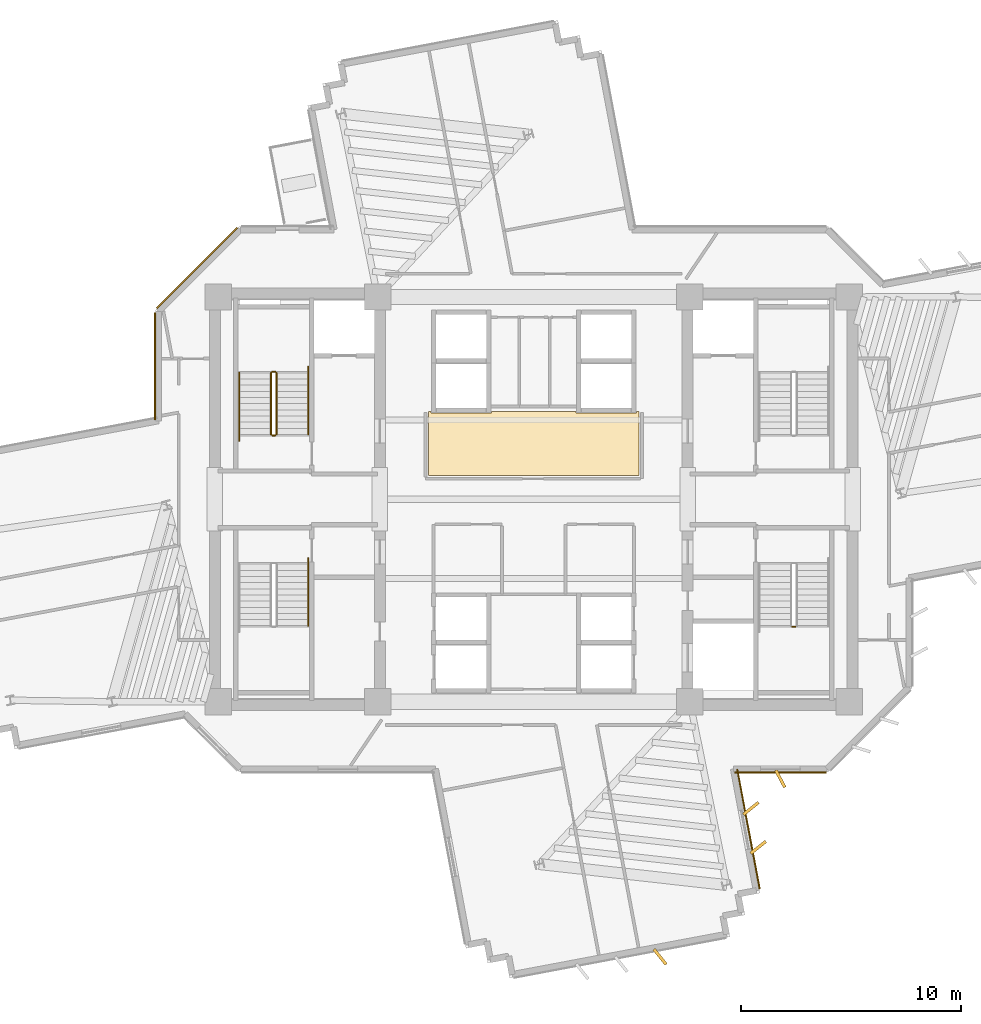
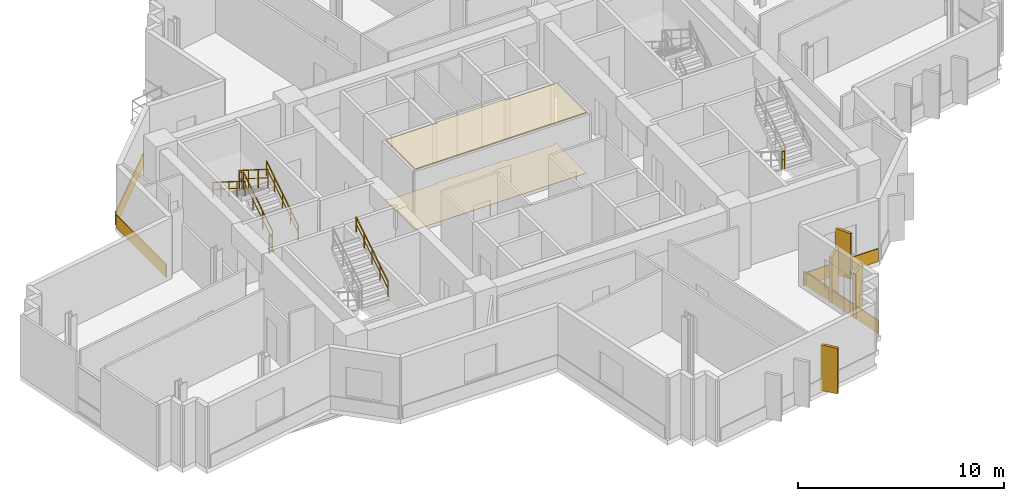
# One storey, part 14 of 16: 10 coverings, 8 railings.
"""IFC4 building model written with IfcOpenShell, lengths in metres."""

from ifc_helpers import new_model, si_unit, direction, frame, origin, origin_2d, place, context, subcontext, project, spatial, polyline, rectangle, outline, extrude, source, transform, mapped, material, layer, layer_set, type_object, element, save


model = new_model("IFC4")

# Units and contexts
model_context = context("Model", 3, precision=1e-05, world=origin(), true_north=direction((0.0, 1.0)))
body_context = subcontext(model_context, "Body", "Model", "MODEL_VIEW")
ifc_project = project(units=[si_unit("LENGTHUNIT", "METRE"), si_unit("AREAUNIT", "SQUARE_METRE"), si_unit("VOLUMEUNIT", "CUBIC_METRE"), si_unit("PLANEANGLEUNIT", "RADIAN"), si_unit("MASSUNIT", "GRAM", prefix="KILO")], contexts=[model_context])

# Site, building, storey
site_placement = place(None, origin())
site = spatial("IfcSite", under=ifc_project, at=site_placement, CompositionType="ELEMENT")
building_placement = place(site_placement, origin())
building = spatial("IfcBuilding", under=site, at=building_placement, Name="Zahravan Cultural Tower", CompositionType="ELEMENT")
storey_placement = place(building_placement, frame((0.0, 0.0, 155.10009765625)))
storey = spatial("IfcBuildingStorey", under=building, at=storey_placement, Name="L35", CompositionType="ELEMENT", Elevation=155.10009765625)

# Coverings
ifc_material_1 = material(Name="Acoustic mineral fibreboard")
ifc_layer_1 = layer(ifc_material_1, 0.0400390625)
ifc_layer_set_1 = layer_set([ifc_layer_1], Name="Acoustic mineral fibreboard")
covering_type_1 = type_object("IfcCoveringType", Name="COV-CEIL-AC20", PredefinedType="CEILING", material=ifc_layer_set_1)
covering_1_placement = place(storey_placement, frame((0.0, 0.0, 3.579833984375)))
element("IfcCovering", 1, at=covering_1_placement, inside=storey, type_object=covering_type_1, Name="L35 Acoustic Suspended Ceiling", PredefinedType="CEILING", context=body_context, shape_type="SweptSolid", body=[
    extrude(outline(polyline([(31.219970703125, 31.0), (31.219970703125, 28.080078125), (40.780029296875, 28.080078125), (40.780029296875, 31.0), (40.669921875, 31.0), (40.669921875, 30.929931640625), (37.929931640625, 30.929931640625), (37.929931640625, 31.0), (34.070068359375, 31.0), (34.070068359375, 30.929931640625), (31.330078125, 30.929931640625), (31.330078125, 31.0), (31.219970703125, 31.0)])), origin(), (0.0, 0.0, 1.0), 0.0400390625),
])
ifc_material_2 = material(Name="Terrazzo flooring")
ifc_layer_2 = layer(ifc_material_2, 0.02490234375)
ifc_layer_set_2 = layer_set([ifc_layer_2], Name="Terrazzo flooring")
covering_type_2 = type_object("IfcCoveringType", Name="COV-FLR-TZ25", PredefinedType="FLOORING", material=ifc_layer_set_2)
covering_2_placement = place(storey_placement, origin())
element("IfcCovering", 2, at=covering_2_placement, inside=storey, type_object=covering_type_2, Name="L35 Polished Terrazzo Flooring", PredefinedType="FLOORING", context=body_context, shape_type="SweptSolid", body=[
    extrude(outline(polyline([(31.219970703125, 31.0), (31.219970703125, 28.080078125), (40.780029296875, 28.080078125), (40.780029296875, 31.0), (40.669921875, 31.0), (40.669921875, 30.929931640625), (37.929931640625, 30.929931640625), (37.929931640625, 31.0), (34.070068359375, 31.0), (34.070068359375, 30.929931640625), (31.330078125, 30.929931640625), (31.330078125, 31.0), (31.219970703125, 31.0)])), origin(), (0.0, 0.0, 1.0), 0.02490234375),
])

# Railings
ifc_material_3 = material(Name="Steel ASTM A572 Grade 50", Category="steel")
railing_type_1 = type_object("IfcRailingType", Name="RL-STAIR-GRD1150", PredefinedType="BALUSTRADE", material=ifc_material_3)
railing_1_placement = place(storey_placement, frame((24.300048828125, 29.949951171875, 0.17724609375)))
element("IfcRailing", 3, at=railing_1_placement, inside=storey, type_object=railing_type_1, Name="L35 ST-W1 stair guard 1", PredefinedType="BALUSTRADE", context=body_context, shape_type="SweptSolid", body=[
    extrude(rectangle(XDim=0.05, YDim=0.05, at=origin_2d()), frame((0.0, 0.0, 1.0751953125), z_axis=(0.0, 0.844908973607, 0.534910110503), x_axis=(-1.0, 0.0, 0.0)), (0.0, 0.0, 1.0), 3.31396484375),
    extrude(rectangle(XDim=0.032, YDim=0.032, at=origin_2d()), frame((0.0, 0.0, 0.572021484375), z_axis=(0.0, 0.844908973607, 0.534910110503), x_axis=(-1.0, 0.0, 0.0)), (0.0, 0.0, 1.0), 3.31396484375),
    extrude(rectangle(XDim=0.04, YDim=0.04, at=origin_2d()), origin(), (0.0, 0.0, 1.0), 1.10009765625),
    extrude(rectangle(XDim=0.04, YDim=0.04, at=origin_2d()), frame((0.0, 0.933349609375, 0.5908203125)), (0.0, 0.0, 1.0), 1.10009765625),
    extrude(rectangle(XDim=0.04, YDim=0.04, at=origin_2d()), frame((0.0, 1.86669921875, 1.181884765625)), (0.0, 0.0, 1.0), 1.10009765625),
    extrude(rectangle(XDim=0.04, YDim=0.04, at=origin_2d()), frame((0.0, 2.800048828125, 1.772705078125)), (0.0, 0.0, 1.0), 1.10009765625),
])
railing_2_placement = place(storey_placement, frame((24.25, 32.800048828125, 1.949951171875)))
element("IfcRailing", 4, at=railing_2_placement, inside=storey, type_object=railing_type_1, Name="L35 ST-W1 stair guard 2", PredefinedType="BALUSTRADE", context=body_context, shape_type="SweptSolid", body=[
    extrude(rectangle(XDim=0.05, YDim=0.05, at=origin_2d()), frame((0.0, 0.0, 1.0751953125), z_axis=(-1.0, 0.0, 0.0), x_axis=(0.0, -1.0, 0.0)), (0.0, 0.0, 1.0), 0.14990234375),
    extrude(rectangle(XDim=0.032, YDim=0.032, at=origin_2d()), frame((0.0, 0.0, 0.572021484375), z_axis=(-1.0, 0.0, 0.0), x_axis=(0.0, -1.0, 0.0)), (0.0, 0.0, 1.0), 0.14990234375),
    extrude(rectangle(XDim=0.04, YDim=0.04, at=origin_2d()), origin(), (0.0, 0.0, 1.0), 1.10009765625),
    extrude(rectangle(XDim=0.04, YDim=0.04, at=origin_2d()), frame((-0.14990234375, 0.0, 0.0)), (0.0, 0.0, 1.0), 1.10009765625),
])
railing_3_placement = place(storey_placement, frame((24.050048828125, 32.75, 2.127197265625)))
element("IfcRailing", 5, at=railing_3_placement, inside=storey, type_object=railing_type_1, Name="L35 ST-W1 stair guard 3", PredefinedType="BALUSTRADE", context=body_context, shape_type="SweptSolid", body=[
    extrude(rectangle(XDim=0.05, YDim=0.05, at=origin_2d()), frame((0.0, 0.0, 1.0751953125), z_axis=(0.0, -0.844908973607, 0.534910110503), x_axis=(1.0, 0.0, 0.0)), (0.0, 0.0, 1.0), 3.31396484375),
    extrude(rectangle(XDim=0.032, YDim=0.032, at=origin_2d()), frame((0.0, 0.0, 0.572021484375), z_axis=(0.0, -0.844908973607, 0.534910110503), x_axis=(1.0, 0.0, 0.0)), (0.0, 0.0, 1.0), 3.31396484375),
    extrude(rectangle(XDim=0.04, YDim=0.04, at=origin_2d()), origin(), (0.0, 0.0, 1.0), 1.10009765625),
    extrude(rectangle(XDim=0.04, YDim=0.04, at=origin_2d()), frame((0.0, -0.933349609375, 0.5908203125)), (0.0, 0.0, 1.0), 1.10009765625),
    extrude(rectangle(XDim=0.04, YDim=0.04, at=origin_2d()), frame((0.0, -1.86669921875, 1.181884765625)), (0.0, 0.0, 1.0), 1.10009765625),
    extrude(rectangle(XDim=0.04, YDim=0.04, at=origin_2d()), frame((0.0, -2.800048828125, 1.772705078125)), (0.0, 0.0, 1.0), 1.10009765625),
])
railing_4_placement = place(storey_placement, frame((24.25, 29.89990234375, 0.0)))
element("IfcRailing", 6, at=railing_4_placement, inside=storey, type_object=railing_type_1, Name="L35 ST-W1 stair guard 4", PredefinedType="BALUSTRADE", context=body_context, shape_type="SweptSolid", body=[
    extrude(rectangle(XDim=0.05, YDim=0.05, at=origin_2d()), frame((0.0, 0.0, 1.0751953125), z_axis=(-1.0, 0.0, 0.0), x_axis=(0.0, -1.0, 0.0)), (0.0, 0.0, 1.0), 0.14990234375),
    extrude(rectangle(XDim=0.032, YDim=0.032, at=origin_2d()), frame((0.0, 0.0, 0.572021484375), z_axis=(-1.0, 0.0, 0.0), x_axis=(0.0, -1.0, 0.0)), (0.0, 0.0, 1.0), 0.14990234375),
    extrude(rectangle(XDim=0.04, YDim=0.04, at=origin_2d()), origin(), (0.0, 0.0, 1.0), 1.10009765625),
    extrude(rectangle(XDim=0.04, YDim=0.04, at=origin_2d()), frame((-0.14990234375, 0.0, 0.0)), (0.0, 0.0, 1.0), 1.10009765625),
])
railing_5_placement = place(storey_placement, frame((47.75, 21.199951171875, 1.949951171875)))
element("IfcRailing", 7, at=railing_5_placement, inside=storey, type_object=railing_type_1, Name="L35 ST-E2 stair guard 2", PredefinedType="BALUSTRADE", context=body_context, shape_type="SweptSolid", body=[
    extrude(rectangle(XDim=0.05, YDim=0.05, at=origin_2d()), frame((0.0, 0.0, 1.0751953125), z_axis=(1.0, 0.0, 0.0), x_axis=(0.0, 1.0, 0.0)), (0.0, 0.0, 1.0), 0.14990234375),
    extrude(rectangle(XDim=0.032, YDim=0.032, at=origin_2d()), frame((0.0, 0.0, 0.572021484375), z_axis=(1.0, 0.0, 0.0), x_axis=(0.0, 1.0, 0.0)), (0.0, 0.0, 1.0), 0.14990234375),
    extrude(rectangle(XDim=0.04, YDim=0.04, at=origin_2d()), origin(), (0.0, 0.0, 1.0), 1.10009765625),
    extrude(rectangle(XDim=0.04, YDim=0.04, at=origin_2d()), frame((0.14990234375, 0.0, 0.0)), (0.0, 0.0, 1.0), 1.10009765625),
])
railing_type_2 = type_object("IfcRailingType", Name="RL-STAIR-HR900", PredefinedType="HANDRAIL", material=ifc_material_3)
railing_6_placement = place(storey_placement, frame((25.75, 29.949951171875, 0.17724609375)))
element("IfcRailing", 8, at=railing_6_placement, inside=storey, type_object=railing_type_2, Name="L35 ST-W1 stair handrail 1", PredefinedType="HANDRAIL", context=body_context, shape_type="SweptSolid", body=[
    extrude(rectangle(XDim=0.05, YDim=0.05, at=origin_2d()), frame((0.0, 0.0, 0.875), z_axis=(0.0, 0.844913916606, 0.534902302785), x_axis=(-1.0, 0.0, 0.0)), (0.0, 0.0, 1.0), 3.6455078125),
    extrude(rectangle(XDim=0.032, YDim=0.032, at=origin_2d()), frame((0.0, 0.0, 0.468017578125), z_axis=(0.0, 0.844913916606, 0.534902302785), x_axis=(-1.0, 0.0, 0.0)), (0.0, 0.0, 1.0), 3.6455078125),
    extrude(rectangle(XDim=0.04, YDim=0.04, at=origin_2d()), origin(), (0.0, 0.0, 1.0), 0.89990234375),
    extrude(rectangle(XDim=0.04, YDim=0.04, at=origin_2d()), frame((0.0, 0.77001953125, 0.487548828125)), (0.0, 0.0, 1.0), 0.89990234375),
    extrude(rectangle(XDim=0.04, YDim=0.04, at=origin_2d()), frame((0.0, 1.5400390625, 0.97509765625)), (0.0, 0.0, 1.0), 0.89990234375),
    extrude(rectangle(XDim=0.04, YDim=0.04, at=origin_2d()), frame((0.0, 2.31005859375, 1.46240234375)), (0.0, 0.0, 1.0), 0.89990234375),
    extrude(rectangle(XDim=0.04, YDim=0.04, at=origin_2d()), frame((0.0, 3.080078125, 1.949951171875)), (0.0, 0.0, 1.0), 0.89990234375),
])
railing_7_placement = place(storey_placement, frame((22.60009765625, 32.75, 2.127197265625)))
element("IfcRailing", 9, at=railing_7_placement, inside=storey, type_object=railing_type_2, Name="L35 ST-W1 stair handrail 2", PredefinedType="HANDRAIL", context=body_context, shape_type="SweptSolid", body=[
    extrude(rectangle(XDim=0.05, YDim=0.05, at=origin_2d()), frame((0.0, 0.0, 0.875), z_axis=(0.0, -0.844913916606, 0.534902302785), x_axis=(1.0, 0.0, 0.0)), (0.0, 0.0, 1.0), 3.6455078125),
    extrude(rectangle(XDim=0.032, YDim=0.032, at=origin_2d()), frame((0.0, 0.0, 0.468017578125), z_axis=(0.0, -0.844913916606, 0.534902302785), x_axis=(1.0, 0.0, 0.0)), (0.0, 0.0, 1.0), 3.6455078125),
    extrude(rectangle(XDim=0.04, YDim=0.04, at=origin_2d()), origin(), (0.0, 0.0, 1.0), 0.89990234375),
    extrude(rectangle(XDim=0.04, YDim=0.04, at=origin_2d()), frame((0.0, -0.77001953125, 0.487548828125)), (0.0, 0.0, 1.0), 0.89990234375),
    extrude(rectangle(XDim=0.04, YDim=0.04, at=origin_2d()), frame((0.0, -1.5400390625, 0.97509765625)), (0.0, 0.0, 1.0), 0.89990234375),
    extrude(rectangle(XDim=0.04, YDim=0.04, at=origin_2d()), frame((0.0, -2.31005859375, 1.46240234375)), (0.0, 0.0, 1.0), 0.89990234375),
    extrude(rectangle(XDim=0.04, YDim=0.04, at=origin_2d()), frame((0.0, -3.080078125, 1.949951171875)), (0.0, 0.0, 1.0), 0.89990234375),
])
railing_8_placement = place(storey_placement, frame((25.75, 21.25, 2.127197265625)))
element("IfcRailing", 10, at=railing_8_placement, inside=storey, type_object=railing_type_2, Name="L35 ST-W2 stair handrail 2", PredefinedType="HANDRAIL", context=body_context, shape_type="SweptSolid", body=[
    extrude(rectangle(XDim=0.05, YDim=0.05, at=origin_2d()), frame((0.0, 0.0, 0.875), z_axis=(0.0, 0.844913916606, 0.534902302785), x_axis=(-1.0, 0.0, 0.0)), (0.0, 0.0, 1.0), 3.6455078125),
    extrude(rectangle(XDim=0.032, YDim=0.032, at=origin_2d()), frame((0.0, 0.0, 0.468017578125), z_axis=(0.0, 0.844913916606, 0.534902302785), x_axis=(-1.0, 0.0, 0.0)), (0.0, 0.0, 1.0), 3.6455078125),
    extrude(rectangle(XDim=0.04, YDim=0.04, at=origin_2d()), origin(), (0.0, 0.0, 1.0), 0.89990234375),
    extrude(rectangle(XDim=0.04, YDim=0.04, at=origin_2d()), frame((0.0, 0.77001953125, 0.487548828125)), (0.0, 0.0, 1.0), 0.89990234375),
    extrude(rectangle(XDim=0.04, YDim=0.04, at=origin_2d()), frame((0.0, 1.5400390625, 0.97509765625)), (0.0, 0.0, 1.0), 0.89990234375),
    extrude(rectangle(XDim=0.04, YDim=0.04, at=origin_2d()), frame((0.0, 2.31005859375, 1.46240234375)), (0.0, 0.0, 1.0), 0.89990234375),
    extrude(rectangle(XDim=0.04, YDim=0.04, at=origin_2d()), frame((0.0, 3.080078125, 1.949951171875)), (0.0, 0.0, 1.0), 0.89990234375),
])

# Coverings
ifc_material_4 = material(Name="Terracotta ceramic cladding", Category="masonry")
ifc_layer_3 = layer(ifc_material_4, 0.06005859375)
ifc_layer_set_3 = layer_set([ifc_layer_3], Name="Terracotta ceramic cladding")
covering_type_3 = type_object("IfcCoveringType", Name="COV-CLAD-TC60", PredefinedType="CLADDING", material=ifc_layer_set_3)
shared_shape_1 = source(origin(), body_context, "Body", "SweptSolid", [
    extrude(rectangle(XDim=5.157958984375, YDim=0.06005859375, at=origin_2d()), origin(), (0.0, 0.0, 1.0), 0.760009765625),
])
covering_3_placement = place(storey_placement, frame((20.682373046875, 37.517578125, 0.02001953125), z_axis=(0.0, 0.0, 1.0), x_axis=(0.707106781187, 0.707106781187, 0.0)))
element("IfcCovering", 11, at=covering_3_placement, inside=storey, type_object=covering_type_3, Name="L35 Terracotta Spandrel Cladding 38", PredefinedType="CLADDING", context=body_context, shape_type="MappedRepresentation", body=[
    mapped(shared_shape_1, transform((0.0, 0.0, 0.0), x_axis=(1.0, 0.0, 0.0), y_axis=(0.0, 1.0, 0.0), z_axis=(0.0, 0.0, 1.0), scale=1.0)),
])
shared_shape_2 = source(origin(), body_context, "Body", "SweptSolid", [
    extrude(rectangle(XDim=0.8798828125, YDim=0.139892578125, at=origin_2d()), origin(), (0.0, 0.0, 1.0), 2.699951171875),
])
for number, where, z_axis, x_axis, name in (
    (12, (47.2109375, 14.2900390625, 0.0498046875), (0.0, 0.0, 1.0), (0.469471562786, -0.882947592859, 0.0), "L35 Herringbone Terracotta Fin 11"),
    (13, (45.8759765625, 12.93896484375, 0.0498046875), (0.0, 0.0, 1.0), (0.781073833486, 0.624438681251, 0.0), "L35 Herringbone Terracotta Fin 12"),
    (14, (46.20849609375, 11.169921875, 0.0498046875), (0.0, 0.0, 1.0), (0.781073833486, 0.624438681251, 0.0), "L35 Herringbone Terracotta Fin 13"),
    (15, (41.740478515625, 6.192138671875, 0.0498046875), (0.0, 0.0, 1.0), (0.624425048846, -0.781084731878, 0.0), "L35 Herringbone Terracotta Fin 14"),
):
    element("IfcCovering", number, at=place(storey_placement, frame(where, z_axis=z_axis, x_axis=x_axis)), inside=storey, type_object=covering_type_3, Name=name, PredefinedType="CLADDING", context=body_context, shape_type="MappedRepresentation", body=[
        mapped(shared_shape_2, transform((0.0, 0.0, 0.0), x_axis=(1.0, 0.0, 0.0), y_axis=(0.0, 1.0, 0.0), z_axis=(0.0, 0.0, 1.0), scale=1.0)),
    ])
shared_shape_3 = source(origin(), body_context, "Body", "SweptSolid", [
    extrude(rectangle(XDim=4.870361328125, YDim=0.06005859375, at=origin_2d()), origin(), (0.0, 0.0, 1.0), 0.760009765625),
])
covering_4_placement = place(storey_placement, frame((18.77490234375, 33.056884765625, 0.02001953125), z_axis=(0.0, 0.0, 1.0), x_axis=(0.0, 1.0, 0.0)))
element("IfcCovering", 16, at=covering_4_placement, inside=storey, type_object=covering_type_3, Name="L35 Terracotta Spandrel Cladding 37", PredefinedType="CLADDING", context=body_context, shape_type="MappedRepresentation", body=[
    mapped(shared_shape_3, transform((0.0, 0.0, 0.0), x_axis=(1.0, 0.0, 0.0), y_axis=(0.0, 1.0, 0.0), z_axis=(0.0, 0.0, 1.0), scale=1.0)),
])
shared_shape_4 = source(origin(), body_context, "Body", "SweptSolid", [
    extrude(rectangle(XDim=4.162353515625, YDim=0.06005859375, at=origin_2d()), origin(), (0.0, 0.0, 1.0), 0.760009765625),
])
covering_5_placement = place(storey_placement, frame((47.2109375, 14.574951171875, 0.02001953125), z_axis=(0.0, 0.0, 1.0), x_axis=(-1.0, 0.0, 0.0)))
element("IfcCovering", 17, at=covering_5_placement, inside=storey, type_object=covering_type_3, Name="L35 Terracotta Spandrel Cladding 13", PredefinedType="CLADDING", context=body_context, shape_type="MappedRepresentation", body=[
    mapped(shared_shape_4, transform((0.0, 0.0, 0.0), x_axis=(1.0, 0.0, 0.0), y_axis=(0.0, 1.0, 0.0), z_axis=(0.0, 0.0, 1.0), scale=1.0)),
])
shared_shape_5 = source(origin(), body_context, "Body", "SweptSolid", [
    extrude(rectangle(XDim=5.5341796875, YDim=0.06005859375, at=origin_2d()), origin(), (0.0, 0.0, 1.0), 0.760009765625),
])
covering_6_placement = place(storey_placement, frame((45.76220703125, 12.001708984375, 0.02001953125), z_axis=(0.0, 0.0, 1.0), x_axis=(0.184654677241, -0.982803464673, 0.0)))
element("IfcCovering", 18, at=covering_6_placement, inside=storey, type_object=covering_type_3, Name="L35 Terracotta Spandrel Cladding 14", PredefinedType="CLADDING", context=body_context, shape_type="MappedRepresentation", body=[
    mapped(shared_shape_5, transform((0.0, 0.0, 0.0), x_axis=(1.0, 0.0, 0.0), y_axis=(0.0, 1.0, 0.0), z_axis=(0.0, 0.0, 1.0), scale=1.0)),
])

save(model, "model.ifc")
